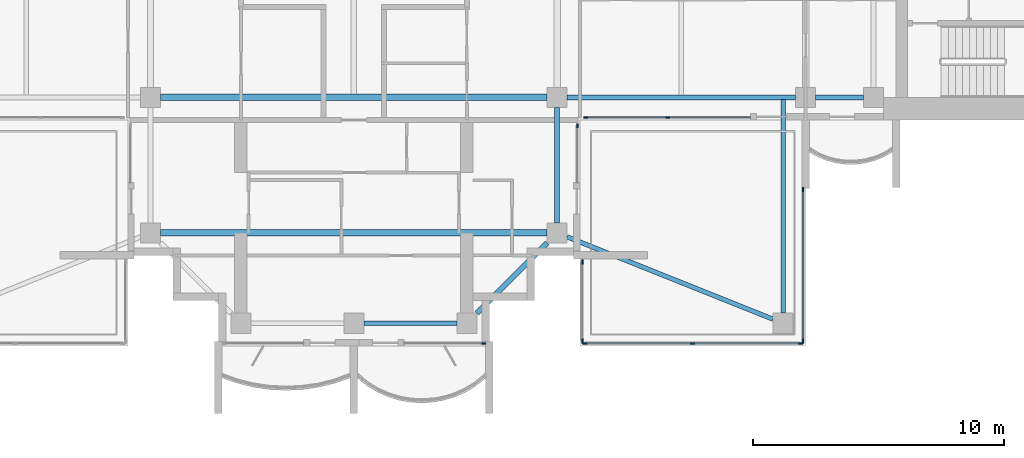
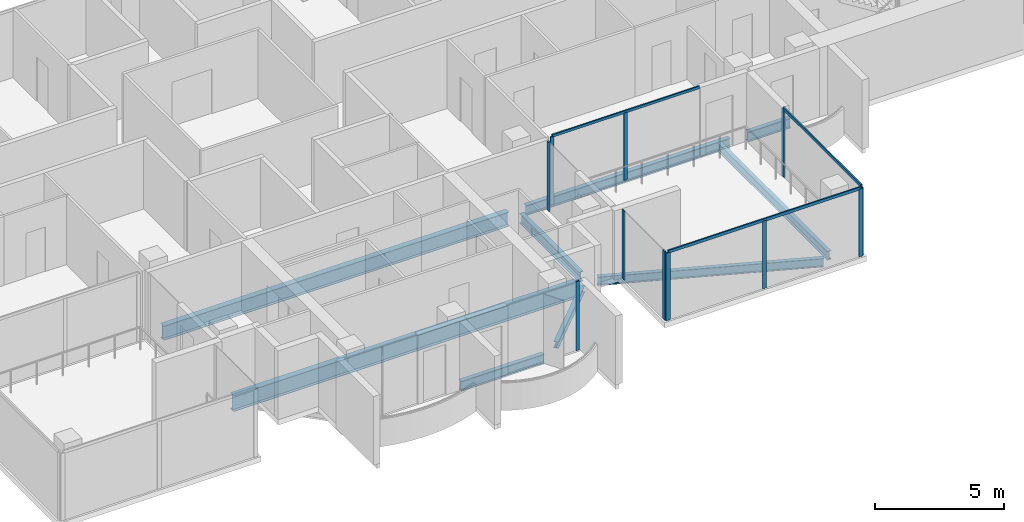
# One storey, part 3 of 16: 14 members, 9 beams, 6 elements without a shape of their own.
"""IFC4 building model written with IfcOpenShell, lengths in metres."""

from ifc_helpers import new_model, si_unit, direction, frame, origin, origin_2d, place, context, subcontext, project, spatial, rectangle, i_section, extrude, material, material_profile, profile_set, type_object, element, aggregate, save


model = new_model("IFC4")

# Units and contexts
model_context = context("Model", 3, precision=1e-05, world=origin(), true_north=direction((0.0, 1.0)))
body_context = subcontext(model_context, "Body", "Model", "MODEL_VIEW")
ifc_project = project(units=[si_unit("LENGTHUNIT", "METRE"), si_unit("AREAUNIT", "SQUARE_METRE"), si_unit("VOLUMEUNIT", "CUBIC_METRE"), si_unit("PLANEANGLEUNIT", "RADIAN"), si_unit("MASSUNIT", "GRAM", prefix="KILO")], contexts=[model_context])

# Site, building, storey
site_placement = place(None, origin())
site = spatial("IfcSite", under=ifc_project, at=site_placement, CompositionType="ELEMENT")
building_placement = place(site_placement, origin())
building = spatial("IfcBuilding", under=site, at=building_placement, Name="Perihelion Cross Residences", CompositionType="ELEMENT")
storey_placement = place(building_placement, frame((0.0, 0.0, 267.5)))
storey = spatial("IfcBuildingStorey", under=building, at=storey_placement, Name="L68", CompositionType="ELEMENT", Elevation=267.5)

# Curtain wall, member
ifc_material_1 = material(Name="Bronze anodised aluminium, tinted glazing", Category="aluminium")
curtain_wall_type_1 = type_object("IfcCurtainWallType", Name="CW1", PredefinedType="NOTDEFINED", material=ifc_material_1)
curtain_wall_1_placement = place(storey_placement, origin())
curtain_wall_1 = element("IfcCurtainWall", 1, at=curtain_wall_1_placement, inside=storey, type_object=curtain_wall_type_1, Name="Curtain wall CW1 L68 south tip south bay 2", PredefinedType="NOTDEFINED")
ifc_material_2 = material(Name="Bronze anodised aluminium", Category="aluminium")
ifc_material_profile_1 = material_profile(ifc_material_2, rectangle(XDim=0.06005859375, YDim=0.159912109375, at=origin_2d()), Name="CW1 mullion")
ifc_profile_set_1 = profile_set([ifc_material_profile_1], Name="Bronze anodised aluminium")
member_type_1 = type_object("IfcMemberType", Name="CW1 mullion", PredefinedType="MULLION", material=ifc_profile_set_1)
member_1_placement = place(storey_placement, frame((5.169921875, -17.89990234375, 0.0), z_axis=(0.0, 0.0, 1.0), x_axis=(0.0, 1.0, 0.0)))
member_1 = element("IfcMember", 2, at=member_1_placement, type_object=member_type_1, Name="CW1 mullion 2", PredefinedType="MULLION", context=body_context, shape_type="SweptSolid", body=[
    extrude(rectangle(XDim=0.06005859375, YDim=0.159912109375, at=origin_2d()), origin(), (0.0, 0.0, 1.0), 3.25),
])
aggregate(curtain_wall_1, [member_1])

curtain_wall_2_placement = place(storey_placement, origin())
curtain_wall_2 = element("IfcCurtainWall", 3, at=curtain_wall_2_placement, inside=storey, type_object=curtain_wall_type_1, Name="Curtain wall CW1 L68 south side east bay 1", PredefinedType="NOTDEFINED")
member_2_placement = place(storey_placement, frame((8.89990234375, -9.22998046875, 0.0), z_axis=(0.0, 0.0, 1.0), x_axis=(-1.0, 0.0, 0.0)))
member_2 = element("IfcMember", 4, at=member_2_placement, type_object=member_type_1, Name="CW1 mullion 2", PredefinedType="MULLION", context=body_context, shape_type="SweptSolid", body=[
    extrude(rectangle(XDim=0.06005859375, YDim=0.159912109375, at=origin_2d()), origin(), (0.0, 0.0, 1.0), 3.25),
])
aggregate(curtain_wall_2, [member_2])

# Curtain wall, members
curtain_wall_3_placement = place(storey_placement, origin())
curtain_wall_3 = element("IfcCurtainWall", 5, at=curtain_wall_3_placement, inside=storey, type_object=curtain_wall_type_1, Name="Curtain wall CW1 L68 east side south bay 1", PredefinedType="NOTDEFINED")
member_3_placement = place(storey_placement, frame((9.22998046875, -8.89990234375, 0.0), z_axis=(0.0, 0.0, 1.0), x_axis=(0.0, 1.0, 0.0)))
member_3 = element("IfcMember", 6, at=member_3_placement, type_object=member_type_1, Name="CW1 mullion 1", PredefinedType="MULLION", context=body_context, shape_type="SweptSolid", body=[
    extrude(rectangle(XDim=0.06005859375, YDim=0.159912109375, at=origin_2d()), origin(), (0.0, 0.0, 1.0), 3.18994140625),
])
member_4_placement = place(storey_placement, frame((12.5, -8.89990234375, 0.0), z_axis=(0.0, 0.0, 1.0), x_axis=(0.0, 1.0, 0.0)))
member_4 = element("IfcMember", 7, at=member_4_placement, type_object=member_type_1, Name="CW1 mullion 2", PredefinedType="MULLION", context=body_context, shape_type="SweptSolid", body=[
    extrude(rectangle(XDim=0.06005859375, YDim=0.159912109375, at=origin_2d()), origin(), (0.0, 0.0, 1.0), 3.18994140625),
])
ifc_material_3 = material(Name="Bronze anodised aluminium", Category="aluminium")
ifc_material_profile_2 = material_profile(ifc_material_3, rectangle(XDim=0.06005859375, YDim=0.1201171875, at=origin_2d()), Name="CW1 transom")
ifc_profile_set_2 = profile_set([ifc_material_profile_2], Name="Bronze anodised aluminium")
member_type_2 = type_object("IfcMemberType", Name="CW1 transom", PredefinedType="USERDEFINED", material=ifc_profile_set_2)
member_5_placement = place(storey_placement, frame((9.22998046875, -8.89990234375, 3.219970703125), z_axis=(1.0, 0.0, 0.0), x_axis=(0.0, 1.0, 0.0)))
member_5 = element("IfcMember", 8, at=member_5_placement, type_object=member_type_2, Name="CW1 head transom", ObjectType="TRANSOM", PredefinedType="USERDEFINED", context=body_context, shape_type="SweptSolid", body=[
    extrude(rectangle(XDim=0.06005859375, YDim=0.1201171875, at=origin_2d()), origin(), (0.0, 0.0, 1.0), 6.570068359375),
])
aggregate(curtain_wall_3, [member_3, member_4, member_5])

ifc_material_4 = material(Name="Bronze anodised aluminium, tinted glazing", Category="aluminium")
curtain_wall_type_2 = type_object("IfcCurtainWallType", Name="CW4", PredefinedType="NOTDEFINED", material=ifc_material_4)
curtain_wall_4_placement = place(storey_placement, origin())
curtain_wall_4 = element("IfcCurtainWall", 9, at=curtain_wall_4_placement, inside=storey, type_object=curtain_wall_type_2, Name="Curtain wall CW4 L68 pocket south-east 1 1", PredefinedType="NOTDEFINED")
ifc_material_5 = material(Name="Bronze anodised aluminium", Category="aluminium")
ifc_material_profile_3 = material_profile(ifc_material_5, rectangle(XDim=0.06005859375, YDim=0.179931640625, at=origin_2d()), Name="CW4 mullion")
ifc_profile_set_3 = profile_set([ifc_material_profile_3], Name="Bronze anodised aluminium")
member_type_3 = type_object("IfcMemberType", Name="CW4 mullion", PredefinedType="MULLION", material=ifc_profile_set_3)
member_6_placement = place(storey_placement, frame((17.89990234375, -11.77001953125, 0.0), z_axis=(0.0, 0.0, 1.0), x_axis=(1.0, 0.0, 0.0)))
member_6 = element("IfcMember", 10, at=member_6_placement, type_object=member_type_3, Name="CW4 mullion 1", PredefinedType="MULLION", context=body_context, shape_type="SweptSolid", body=[
    extrude(rectangle(XDim=0.06005859375, YDim=0.179931640625, at=origin_2d()), origin(), (0.0, 0.0, 1.0), 3.18994140625),
])
member_7_placement = place(storey_placement, frame((17.89990234375, -17.800048828125, 0.0), z_axis=(0.0, 0.0, 1.0), x_axis=(1.0, 0.0, 0.0)))
member_7 = element("IfcMember", 11, at=member_7_placement, type_object=member_type_3, Name="CW4 mullion 2", PredefinedType="MULLION", context=body_context, shape_type="SweptSolid", body=[
    extrude(rectangle(XDim=0.06005859375, YDim=0.179931640625, at=origin_2d()), origin(), (0.0, 0.0, 1.0), 3.18994140625),
])

curtain_wall_5_placement = place(storey_placement, origin())
curtain_wall_5 = element("IfcCurtainWall", 12, at=curtain_wall_5_placement, inside=storey, type_object=curtain_wall_type_2, Name="Curtain wall CW4 L68 pocket south-east 1 2", PredefinedType="NOTDEFINED")
member_8_placement = place(storey_placement, frame((17.800048828125, -17.89990234375, 0.0), z_axis=(0.0, 0.0, 1.0), x_axis=(0.0, -1.0, 0.0)))
member_8 = element("IfcMember", 13, at=member_8_placement, type_object=member_type_3, Name="CW4 mullion 1", PredefinedType="MULLION", context=body_context, shape_type="SweptSolid", body=[
    extrude(rectangle(XDim=0.06005859375, YDim=0.179931640625, at=origin_2d()), origin(), (0.0, 0.0, 1.0), 3.18994140625),
])
member_9_placement = place(storey_placement, frame((13.5, -17.89990234375, 0.0), z_axis=(0.0, 0.0, 1.0), x_axis=(0.0, -1.0, 0.0)))
member_9 = element("IfcMember", 14, at=member_9_placement, type_object=member_type_3, Name="CW4 mullion 2", PredefinedType="MULLION", context=body_context, shape_type="SweptSolid", body=[
    extrude(rectangle(XDim=0.06005859375, YDim=0.179931640625, at=origin_2d()), origin(), (0.0, 0.0, 1.0), 3.18994140625),
])
member_10_placement = place(storey_placement, frame((9.199951171875, -17.89990234375, 0.0), z_axis=(0.0, 0.0, 1.0), x_axis=(0.0, -1.0, 0.0)))
member_10 = element("IfcMember", 15, at=member_10_placement, type_object=member_type_3, Name="CW4 mullion 3", PredefinedType="MULLION", context=body_context, shape_type="SweptSolid", body=[
    extrude(rectangle(XDim=0.06005859375, YDim=0.179931640625, at=origin_2d()), origin(), (0.0, 0.0, 1.0), 3.18994140625),
])

curtain_wall_6_placement = place(storey_placement, origin())
curtain_wall_6 = element("IfcCurtainWall", 16, at=curtain_wall_6_placement, inside=storey, type_object=curtain_wall_type_2, Name="Curtain wall CW4 L68 pocket south-east 1 3", PredefinedType="NOTDEFINED")
member_11_placement = place(storey_placement, frame((9.10009765625, -17.800048828125, 0.0), z_axis=(0.0, 0.0, 1.0), x_axis=(-1.0, 0.0, 0.0)))
member_11 = element("IfcMember", 17, at=member_11_placement, type_object=member_type_3, Name="CW4 mullion 1", PredefinedType="MULLION", context=body_context, shape_type="SweptSolid", body=[
    extrude(rectangle(XDim=0.06005859375, YDim=0.179931640625, at=origin_2d()), origin(), (0.0, 0.0, 1.0), 3.25),
])
member_12_placement = place(storey_placement, frame((9.10009765625, -14.658935546875, 0.0), z_axis=(0.0, 0.0, 1.0), x_axis=(-1.0, 0.0, 0.0)))
member_12 = element("IfcMember", 18, at=member_12_placement, type_object=member_type_3, Name="CW4 mullion 2", PredefinedType="MULLION", context=body_context, shape_type="SweptSolid", body=[
    extrude(rectangle(XDim=0.06005859375, YDim=0.179931640625, at=origin_2d()), origin(), (0.0, 0.0, 1.0), 3.25),
])
aggregate(curtain_wall_6, [member_11, member_12])

# Member
ifc_material_6 = material(Name="Bronze anodised aluminium", Category="aluminium")
ifc_material_profile_4 = material_profile(ifc_material_6, rectangle(XDim=0.06005859375, YDim=0.139892578125, at=origin_2d()), Name="CW4 transom")
ifc_profile_set_4 = profile_set([ifc_material_profile_4], Name="Bronze anodised aluminium")
member_type_4 = type_object("IfcMemberType", Name="CW4 transom", PredefinedType="USERDEFINED", material=ifc_profile_set_4)
member_13_placement = place(storey_placement, frame((17.89990234375, -11.77001953125, 3.219970703125), z_axis=(0.0, -1.0, 0.0), x_axis=(1.0, 0.0, 0.0)))
member_13 = element("IfcMember", 19, at=member_13_placement, type_object=member_type_4, Name="CW4 head transom", ObjectType="TRANSOM", PredefinedType="USERDEFINED", context=body_context, shape_type="SweptSolid", body=[
    extrude(rectangle(XDim=0.06005859375, YDim=0.139892578125, at=origin_2d()), origin(), (0.0, 0.0, 1.0), 6.030029296875),
])

aggregate(curtain_wall_4, [member_6, member_7, member_13])

member_14_placement = place(storey_placement, frame((17.800048828125, -17.89990234375, 3.219970703125), z_axis=(-1.0, 0.0, 0.0), x_axis=(0.0, -1.0, 0.0)))
member_14 = element("IfcMember", 20, at=member_14_placement, type_object=member_type_4, Name="CW4 head transom", ObjectType="TRANSOM", PredefinedType="USERDEFINED", context=body_context, shape_type="SweptSolid", body=[
    extrude(rectangle(XDim=0.06005859375, YDim=0.139892578125, at=origin_2d()), origin(), (0.0, 0.0, 1.0), 8.60009765625),
])

aggregate(curtain_wall_5, [member_8, member_9, member_10, member_14])

# Beams
ifc_material_7 = material(Name="Steel S355", Category="steel")
ifc_material_profile_5 = material_profile(ifc_material_7, i_section(OverallWidth=0.177978515625, OverallDepth=0.406005859375, WebThickness=0.0078125, FlangeThickness=0.0126953125, at=origin_2d()), Name="W410x60")
ifc_profile_set_5 = profile_set([ifc_material_profile_5], Name="Steel S355")
beam_type_1 = type_object("IfcBeamType", Name="Core edge beam W410x60", PredefinedType="BEAM", material=ifc_profile_set_5)
beam_1_placement = place(storey_placement, frame((17.10009765625, -8.197021484375, -0.452880859375), z_axis=(0.0, -1.0, 0.0), x_axis=(1.0, 0.0, 0.0)))
element("IfcBeam", 21, at=beam_1_placement, inside=storey, type_object=beam_type_1, Name="Core edge beam TB2 L68 corner no. 3", PredefinedType="BEAM", context=body_context, shape_type="SweptSolid", body=[
    extrude(i_section(OverallWidth=0.177978515625, OverallDepth=0.406005859375, WebThickness=0.0078125, FlangeThickness=0.0126953125, at=origin_2d()), origin(), (0.0, 0.0, 1.0), 8.5029296875),
])
beam_2_placement = place(storey_placement, frame((8.5, -13.659912109375, -0.452880859375), z_axis=(0.928474784399, -0.371395442534, 0.0), x_axis=(0.371395442534, 0.928474784399, 0.0)))
element("IfcBeam", 22, at=beam_2_placement, inside=storey, type_object=beam_type_1, Name="Core edge beam TB2 L68 corner no. 4", PredefinedType="BEAM", context=body_context, shape_type="SweptSolid", body=[
    extrude(i_section(OverallWidth=0.177978515625, OverallDepth=0.406005859375, WebThickness=0.0078125, FlangeThickness=0.0126953125, at=origin_2d()), origin(), (0.0, 0.0, 1.0), 8.83154296875),
])
ifc_material_8 = material(Name="Steel S355", Category="steel")
ifc_material_profile_6 = material_profile(ifc_material_8, i_section(OverallWidth=0.194091796875, OverallDepth=0.469970703125, WebThickness=0.0126953125, FlangeThickness=0.0205078125, at=origin_2d()), Name="W460x106")
ifc_profile_set_6 = profile_set([ifc_material_profile_6], Name="Steel S355")
beam_type_2 = type_object("IfcBeamType", Name="Edge beam W460x106", PredefinedType="SPANDREL", material=ifc_profile_set_6)
beam_3_placement = place(storey_placement, frame((0.39990234375, -17.10009765625, -0.485107421875), z_axis=(1.0, 0.0, 0.0), x_axis=(0.0, 1.0, 0.0)))
element("IfcBeam", 23, at=beam_3_placement, inside=storey, type_object=beam_type_2, Name="Edge beam SB5 L68 no. 7", PredefinedType="SPANDREL", context=body_context, shape_type="SweptSolid", body=[
    extrude(i_section(OverallWidth=0.194091796875, OverallDepth=0.469970703125, WebThickness=0.0126953125, FlangeThickness=0.0205078125, at=origin_2d()), origin(), (0.0, 0.0, 1.0), 3.7001953125),
])
beam_4_placement = place(storey_placement, frame((8.10009765625, -13.10009765625, -0.485107421875), z_axis=(0.0, 1.0, 0.0), x_axis=(-1.0, 0.0, 0.0)))
element("IfcBeam", 24, at=beam_4_placement, inside=storey, type_object=beam_type_2, Name="Edge beam SB5 L68 no. 11", PredefinedType="SPANDREL", context=body_context, shape_type="SweptSolid", body=[
    extrude(i_section(OverallWidth=0.194091796875, OverallDepth=0.469970703125, WebThickness=0.0126953125, FlangeThickness=0.0205078125, at=origin_2d()), origin(), (0.0, 0.0, 1.0), 4.60009765625),
])
beam_5_placement = place(storey_placement, frame((8.5, -8.10009765625, -0.485107421875), z_axis=(1.0, 0.0, 0.0), x_axis=(0.0, 1.0, 0.0)))
element("IfcBeam", 25, at=beam_5_placement, inside=storey, type_object=beam_type_2, Name="Edge beam SB5 L68 no. 12", PredefinedType="SPANDREL", context=body_context, shape_type="SweptSolid", body=[
    extrude(i_section(OverallWidth=0.194091796875, OverallDepth=0.469970703125, WebThickness=0.0126953125, FlangeThickness=0.0205078125, at=origin_2d()), origin(), (0.0, 0.0, 1.0), 9.10009765625),
])
beam_6_placement = place(storey_placement, frame((18.39990234375, -8.10009765625, -0.485107421875), z_axis=(1.0, 0.0, 0.0), x_axis=(0.0, 1.0, 0.0)))
element("IfcBeam", 26, at=beam_6_placement, inside=storey, type_object=beam_type_2, Name="Edge beam SB5 L68 no. 8", PredefinedType="SPANDREL", context=body_context, shape_type="SweptSolid", body=[
    extrude(i_section(OverallWidth=0.194091796875, OverallDepth=0.469970703125, WebThickness=0.0126953125, FlangeThickness=0.0205078125, at=origin_2d()), origin(), (0.0, 0.0, 1.0), 1.900146484375),
])
ifc_material_9 = material(Name="Steel S355", Category="steel")
ifc_material_profile_7 = material_profile(ifc_material_9, i_section(OverallWidth=0.26708984375, OverallDepth=0.75390625, WebThickness=0.01318359375, FlangeThickness=0.01708984375, at=origin_2d()), Name="W760x147")
ifc_profile_set_7 = profile_set([ifc_material_profile_7], Name="Steel S355")
beam_type_3 = type_object("IfcBeamType", Name="Floor girder W760x147", PredefinedType="BEAM", material=ifc_profile_set_7)
beam_7_placement = place(storey_placement, frame((-7.699951171875, -13.5, -0.626953125), z_axis=(1.0, 0.0, 0.0), x_axis=(0.0, 1.0, 0.0)))
element("IfcBeam", 27, at=beam_7_placement, inside=storey, type_object=beam_type_3, Name="Girder G5 L68 no. 3", PredefinedType="BEAM", context=body_context, shape_type="SweptSolid", body=[
    extrude(i_section(OverallWidth=0.26708984375, OverallDepth=0.75390625, WebThickness=0.01318359375, FlangeThickness=0.01708984375, at=origin_2d()), origin(), (0.0, 0.0, 1.0), 15.39990234375),
])
ifc_material_10 = material(Name="Steel S355", Category="steel")
ifc_material_profile_8 = material_profile(ifc_material_10, i_section(OverallWidth=0.25390625, OverallDepth=0.677978515625, WebThickness=0.01171875, FlangeThickness=0.016357421875, at=origin_2d()), Name="W690x125")
ifc_profile_set_8 = profile_set([ifc_material_profile_8], Name="Steel S355")
beam_type_4 = type_object("IfcBeamType", Name="Hub ring girder W690x125", PredefinedType="BEAM", material=ifc_profile_set_8)
beam_8_placement = place(storey_placement, frame((-7.699951171875, -8.10009765625, -0.589111328125), z_axis=(1.0, 0.0, 0.0), x_axis=(0.0, 1.0, 0.0)))
element("IfcBeam", 28, at=beam_8_placement, inside=storey, type_object=beam_type_4, Name="Hub ring girder RG5 L68 no. 1", PredefinedType="BEAM", context=body_context, shape_type="SweptSolid", body=[
    extrude(i_section(OverallWidth=0.25390625, OverallDepth=0.677978515625, WebThickness=0.01171875, FlangeThickness=0.016357421875, at=origin_2d()), origin(), (0.0, 0.0, 1.0), 15.39990234375),
])
ifc_material_11 = material(Name="Steel S355", Category="steel")
ifc_material_profile_9 = material_profile(ifc_material_11, i_section(OverallWidth=0.202880859375, OverallDepth=0.302001953125, WebThickness=0.007568359375, FlangeThickness=0.01318359375, at=origin_2d()), Name="W310x60")
ifc_profile_set_9 = profile_set([ifc_material_profile_9], Name="Steel S355")
beam_type_5 = type_object("IfcBeamType", Name="Serration edge beam W310x60", PredefinedType="BEAM", material=ifc_profile_set_9)
beam_9_placement = place(storey_placement, frame((4.89990234375, -16.699951171875, -0.40087890625), z_axis=(0.707106781187, 0.707106781187, 0.0), x_axis=(-0.707106781187, 0.707106781187, 0.0)))
element("IfcBeam", 29, at=beam_9_placement, inside=storey, type_object=beam_type_5, Name="Serration edge beam EB5 L68 no. 2", PredefinedType="BEAM", context=body_context, shape_type="SweptSolid", body=[
    extrude(i_section(OverallWidth=0.202880859375, OverallDepth=0.302001953125, WebThickness=0.007568359375, FlangeThickness=0.01318359375, at=origin_2d()), origin(), (0.0, 0.0, 1.0), 3.9599609375),
])

save(model, "model.ifc")
